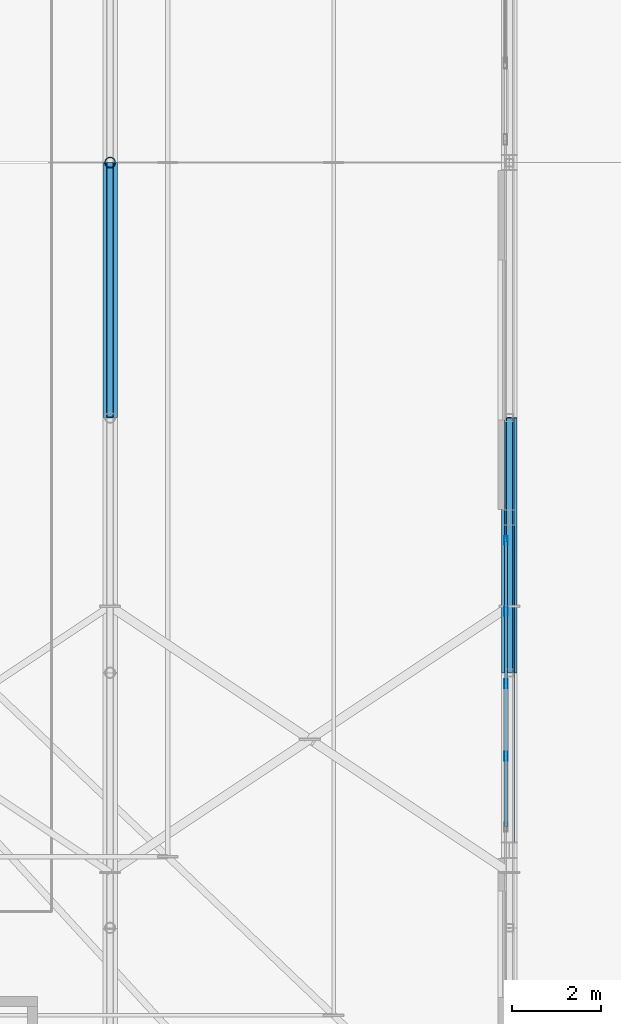
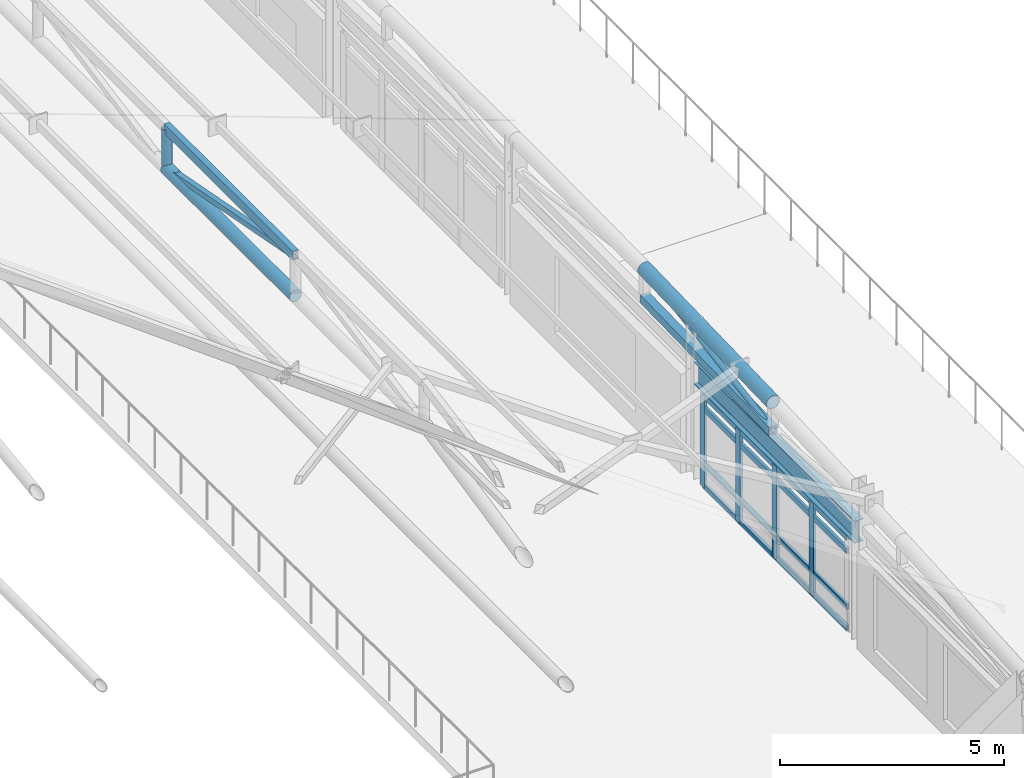
# One storey, part 47 of 168: 13 members, 3 beams, 1 element without a shape of its own.
"""IFC4 building model written with IfcOpenShell, lengths in metres."""

from ifc_helpers import new_model, si_unit, direction, frame, origin, origin_2d, place, context, subcontext, project, spatial, hollow_rectangle, hollow_circle, i_section, extrude, material, material_profile, profile_set, type_object, element, aggregate, save


model = new_model("IFC4")

# Units and contexts
model_context = context("Model", 3, precision=1e-05, world=origin(), true_north=direction((0.0, 1.0)))
body_context = subcontext(model_context, "Body", "Model", "MODEL_VIEW")
ifc_project = project(units=[si_unit("LENGTHUNIT", "METRE"), si_unit("AREAUNIT", "SQUARE_METRE"), si_unit("VOLUMEUNIT", "CUBIC_METRE"), si_unit("PLANEANGLEUNIT", "RADIAN"), si_unit("MASSUNIT", "GRAM", prefix="KILO"), si_unit("THERMODYNAMICTEMPERATUREUNIT", "KELVIN"), si_unit("POWERUNIT", "WATT")], contexts=[model_context])

# Site, building, storey
site_placement = place(None, origin())
site = spatial("IfcSite", under=ifc_project, at=site_placement, CompositionType="ELEMENT")
building_placement = place(site_placement, origin())
building = spatial("IfcBuilding", under=site, at=building_placement, Name="Tepalcoro Natatorium and Aquatics Centre", CompositionType="ELEMENT")
storey_placement = place(building_placement, frame((0.0, 0.0, 10.199951171875)))
storey = spatial("IfcBuildingStorey", under=building, at=storey_placement, Name="L02", CompositionType="ELEMENT", Elevation=10.199951171875)

# Beams
ifc_material_1 = material(Name="Terracotta Painted Hollow Steel ASTM A500 Grade C (Fy 345 MPa)", Category="masonry")
ifc_material_profile_1 = material_profile(ifc_material_1, hollow_circle(Radius=0.177978515625, WallThickness=0.01611328125, at=origin_2d()), Name="CHS356X16")
ifc_profile_set_1 = profile_set([ifc_material_profile_1], Name="Terracotta Painted Hollow Steel ASTM A500 Grade C (Fy 345 MPa)")
beam_type_1 = type_object("IfcBeamType", Name="AC_CHS356x16", PredefinedType="USERDEFINED", material=ifc_profile_set_1)
beam_1_placement = place(storey_placement, frame((125.0, 24.5, 4.087646484375), z_axis=(0.0, 0.999615859161, 0.027715232508), x_axis=(-1.0, 0.0, 0.0)))
element("IfcBeam", 1, at=beam_1_placement, inside=storey, type_object=beam_type_1, Name="V1 Gable Arched Truss Top Chord 9", ObjectType="ARCH CHORD", PredefinedType="USERDEFINED", context=body_context, shape_type="SweptSolid", body=[
    extrude(hollow_circle(Radius=0.177978515625, WallThickness=0.01611328125, at=origin_2d()), origin(), (0.0, 0.0, 1.0), 5.752197265625),
])
ifc_material_profile_2 = material_profile(ifc_material_1, hollow_rectangle(XDim=0.14990234375, YDim=0.25, WallThickness=0.011962890625, at=origin_2d()), Name="HSS250X150X12")
ifc_profile_set_2 = profile_set([ifc_material_profile_2], Name="Terracotta Painted Hollow Steel ASTM A500 Grade C (Fy 345 MPa)")
beam_type_2 = type_object("IfcBeamType", Name="AC_HSS250x150x12", PredefinedType="USERDEFINED", material=ifc_profile_set_2)
beam_2_placement = place(storey_placement, frame((116.0, 30.25, 7.755859375), z_axis=(0.0, 1.0, 0.0), x_axis=(-1.0, 0.0, 0.0)))
element("IfcBeam", 2, at=beam_2_placement, inside=storey, type_object=beam_type_2, Name="V1 Arched Truss Top Chord 8", ObjectType="ARCH CHORD", PredefinedType="USERDEFINED", context=body_context, shape_type="SweptSolid", body=[
    extrude(hollow_rectangle(XDim=0.14990234375, YDim=0.25, WallThickness=0.011962890625, at=origin_2d()), origin(), (0.0, 0.0, 1.0), 5.75),
])

# Curtain wall, members
ifc_material_2 = material(Name="Bronze-Anodised Extruded Aluminium Alloy EN AW-6063 T6", Category="aluminium")
curtain_wall_type = type_object("IfcCurtainWallType", Name="CW_LEAN_T2_NS", PredefinedType="USERDEFINED", material=ifc_material_2)
curtain_wall_placement = place(storey_placement, origin())
curtain_wall = element("IfcCurtainWall", 3, at=curtain_wall_placement, inside=storey, type_object=curtain_wall_type, Name="V1 L02 E Unitised Curtain Wall Bay 2", ObjectType="FACETED SOLAR GLAZING", PredefinedType="USERDEFINED")
ifc_material_profile_3 = material_profile(ifc_material_2, hollow_rectangle(XDim=0.070068359375, YDim=0.199951171875, WallThickness=0.0048828125, at=origin_2d()), Name="AL70X200X5")
ifc_profile_set_3 = profile_set([ifc_material_profile_3], Name="Bronze-Anodised Extruded Aluminium Alloy EN AW-6063 T6")
member_type_1 = type_object("IfcMemberType", Name="CW_MUL_70x200", PredefinedType="MULLION", material=ifc_profile_set_3)
member_1_placement = place(storey_placement, frame((124.923828125, 22.614990234375, 0.02001953125), z_axis=(0.0, 0.0, 1.0), x_axis=(1.0, 0.0, 0.0)))
member_1 = element("IfcMember", 4, at=member_1_placement, type_object=member_type_1, Name="CW_LEAN_T2_NS Curtain Wall Mullion", PredefinedType="MULLION", context=body_context, shape_type="SweptSolid", body=[
    extrude(hollow_rectangle(XDim=0.070068359375, YDim=0.199951171875, WallThickness=0.0048828125, at=origin_2d()), origin(), (0.0, 0.0, 1.0), 2.5380859375),
])
member_2_placement = place(storey_placement, frame((124.923828125, 24.25, 0.02001953125), z_axis=(0.0, 0.0, 1.0), x_axis=(1.0, 0.0, 0.0)))
member_2 = element("IfcMember", 5, at=member_2_placement, type_object=member_type_1, Name="CW_LEAN_T2_NS Curtain Wall Mullion", PredefinedType="MULLION", context=body_context, shape_type="SweptSolid", body=[
    extrude(hollow_rectangle(XDim=0.070068359375, YDim=0.199951171875, WallThickness=0.0048828125, at=origin_2d()), origin(), (0.0, 0.0, 1.0), 2.5380859375),
])
member_3_placement = place(storey_placement, frame((124.923828125, 25.885009765625, 0.02001953125), z_axis=(0.0, 0.0, 1.0), x_axis=(1.0, 0.0, 0.0)))
member_3 = element("IfcMember", 6, at=member_3_placement, type_object=member_type_1, Name="CW_LEAN_T2_NS Curtain Wall Mullion", PredefinedType="MULLION", context=body_context, shape_type="SweptSolid", body=[
    extrude(hollow_rectangle(XDim=0.070068359375, YDim=0.199951171875, WallThickness=0.0048828125, at=origin_2d()), origin(), (0.0, 0.0, 1.0), 2.5380859375),
])
member_4_placement = place(storey_placement, frame((124.923828125, 27.47998046875, 0.02001953125), z_axis=(0.0, 0.0, 1.0), x_axis=(1.0, 0.0, 0.0)))
member_4 = element("IfcMember", 7, at=member_4_placement, type_object=member_type_1, Name="CW_LEAN_T2_NS Curtain Wall Mullion", PredefinedType="MULLION", context=body_context, shape_type="SweptSolid", body=[
    extrude(hollow_rectangle(XDim=0.070068359375, YDim=0.199951171875, WallThickness=0.0048828125, at=origin_2d()), origin(), (0.0, 0.0, 1.0), 2.5380859375),
])
ifc_material_profile_4 = material_profile(ifc_material_2, hollow_rectangle(XDim=0.070068359375, YDim=0.14990234375, WallThickness=0.00390625, at=origin_2d()), Name="AL70X150X4")
ifc_profile_set_4 = profile_set([ifc_material_profile_4], Name="Bronze-Anodised Extruded Aluminium Alloy EN AW-6063 T6")
member_type_2 = type_object("IfcMemberType", Name="CW_TRN_70x150", PredefinedType="USERDEFINED", material=ifc_profile_set_4)
member_5_placement = place(storey_placement, frame((124.923828125, 21.030029296875, 0.050048828125), z_axis=(0.0, 1.0, 0.0), x_axis=(-1.0, 0.0, 0.0)))
member_5 = element("IfcMember", 8, at=member_5_placement, type_object=member_type_2, Name="CW_LEAN_T2_NS Curtain Wall Transom", ObjectType="TRANSOM", PredefinedType="USERDEFINED", context=body_context, shape_type="SweptSolid", body=[
    extrude(hollow_rectangle(XDim=0.070068359375, YDim=0.14990234375, WallThickness=0.00390625, at=origin_2d()), origin(), (0.0, 0.0, 1.0), 6.43994140625),
])
member_6_placement = place(storey_placement, frame((124.923828125, 21.030029296875, 0.64453125), z_axis=(0.0, 1.0, 0.0), x_axis=(-1.0, 0.0, 0.0)))
member_6 = element("IfcMember", 9, at=member_6_placement, type_object=member_type_2, Name="CW_LEAN_T2_NS Curtain Wall Transom", ObjectType="TRANSOM", PredefinedType="USERDEFINED", context=body_context, shape_type="SweptSolid", body=[
    extrude(hollow_rectangle(XDim=0.070068359375, YDim=0.14990234375, WallThickness=0.00390625, at=origin_2d()), origin(), (0.0, 0.0, 1.0), 6.43994140625),
])
member_7_placement = place(storey_placement, frame((124.923828125, 21.030029296875, 2.16552734375), z_axis=(0.0, 1.0, 0.0), x_axis=(-1.0, 0.0, 0.0)))
member_7 = element("IfcMember", 10, at=member_7_placement, type_object=member_type_2, Name="CW_LEAN_T2_NS Curtain Wall Transom", ObjectType="TRANSOM", PredefinedType="USERDEFINED", context=body_context, shape_type="SweptSolid", body=[
    extrude(hollow_rectangle(XDim=0.070068359375, YDim=0.14990234375, WallThickness=0.00390625, at=origin_2d()), origin(), (0.0, 0.0, 1.0), 6.43994140625),
])
member_8_placement = place(storey_placement, frame((124.923828125, 21.030029296875, 2.528076171875), z_axis=(0.0, 1.0, 0.0), x_axis=(-1.0, 0.0, 0.0)))
member_8 = element("IfcMember", 11, at=member_8_placement, type_object=member_type_2, Name="CW_LEAN_T2_NS Curtain Wall Transom", ObjectType="TRANSOM", PredefinedType="USERDEFINED", context=body_context, shape_type="SweptSolid", body=[
    extrude(hollow_rectangle(XDim=0.070068359375, YDim=0.14990234375, WallThickness=0.00390625, at=origin_2d()), origin(), (0.0, 0.0, 1.0), 6.43994140625),
])
aggregate(curtain_wall, [member_1, member_2, member_3, member_4, member_5, member_6, member_7, member_8])

# Members
ifc_material_profile_5 = material_profile(ifc_material_1, hollow_circle(Radius=0.162109375, WallThickness=0.013916015625, at=origin_2d()), Name="CHS324X14")
ifc_profile_set_5 = profile_set([ifc_material_profile_5], Name="Terracotta Painted Hollow Steel ASTM A500 Grade C (Fy 345 MPa)")
member_type_3 = type_object("IfcMemberType", Name="MB_CH_CHS324x14", PredefinedType="CHORD", material=ifc_profile_set_5)
member_9_placement = place(storey_placement, frame((116.0, 30.25, 6.656005859375), z_axis=(0.0, 1.0, 0.0), x_axis=(-1.0, 0.0, 0.0)))
element("IfcMember", 12, at=member_9_placement, inside=storey, type_object=member_type_3, Name="V1 Arched Truss Bottom Chord 8", PredefinedType="CHORD", context=body_context, shape_type="SweptSolid", body=[
    extrude(hollow_circle(Radius=0.162109375, WallThickness=0.013916015625, at=origin_2d()), origin(), (0.0, 0.0, 1.0), 5.75),
])
ifc_material_profile_6 = material_profile(ifc_material_1, hollow_rectangle(XDim=0.219970703125, YDim=0.219970703125, WallThickness=0.011962890625, at=origin_2d()), Name="HSS220X220X12")
ifc_profile_set_6 = profile_set([ifc_material_profile_6], Name="Terracotta Painted Hollow Steel ASTM A500 Grade C (Fy 345 MPa)")
member_type_4 = type_object("IfcMemberType", Name="MB_CH_HSS220x220x12", PredefinedType="CHORD", material=ifc_profile_set_6)
member_10_placement = place(storey_placement, frame((125.0, 24.5, 3.324951171875), z_axis=(0.0, 0.999739199123, 0.022837113159), x_axis=(-1.0, 0.0, 0.0)))
element("IfcMember", 13, at=member_10_placement, inside=storey, type_object=member_type_4, Name="V1 Gable Arched Truss Bottom Chord 9", PredefinedType="CHORD", context=body_context, shape_type="SweptSolid", body=[
    extrude(hollow_rectangle(XDim=0.219970703125, YDim=0.219970703125, WallThickness=0.011962890625, at=origin_2d()), origin(), (0.0, 0.0, 1.0), 5.75146484375),
])
ifc_material_profile_7 = material_profile(ifc_material_1, hollow_circle(Radius=0.1220703125, WallThickness=0.011962890625, at=origin_2d()), Name="CHS244X12")
ifc_profile_set_7 = profile_set([ifc_material_profile_7], Name="Terracotta Painted Hollow Steel ASTM A500 Grade C (Fy 345 MPa)")
member_type_5 = type_object("IfcMemberType", Name="MB_PS_CHS244x12", PredefinedType="POST", material=ifc_profile_set_7)
member_11_placement = place(storey_placement, frame((116.0, 36.0, 6.656005859375), z_axis=(0.0, 0.0, 1.0), x_axis=(1.0, 0.0, 0.0)))
element("IfcMember", 14, at=member_11_placement, inside=storey, type_object=member_type_5, Name="V1 Arched Truss Vertical Post 8", PredefinedType="POST", context=body_context, shape_type="SweptSolid", body=[
    extrude(hollow_circle(Radius=0.1220703125, WallThickness=0.011962890625, at=origin_2d()), origin(), (0.0, 0.0, 1.0), 1.099853515625),
])
ifc_material_profile_8 = material_profile(ifc_material_1, hollow_circle(Radius=0.070068359375, WallThickness=0.008056640625, at=origin_2d()), Name="CHS140X8")
ifc_profile_set_8 = profile_set([ifc_material_profile_8], Name="Terracotta Painted Hollow Steel ASTM A500 Grade C (Fy 345 MPa)")
member_type_6 = type_object("IfcMemberType", Name="MB_ST_CHS140x8", PredefinedType="STRUT", material=ifc_profile_set_8)
member_12_placement = place(storey_placement, frame((125.0, 24.5, 3.324951171875), z_axis=(0.0, 0.987383798038, 0.158345304229), x_axis=(-1.0, 0.0, 0.0)))
element("IfcMember", 15, at=member_12_placement, inside=storey, type_object=member_type_6, Name="V1 Arched Truss Web Diagonal 9", PredefinedType="STRUT", context=body_context, shape_type="SweptSolid", body=[
    extrude(hollow_circle(Radius=0.070068359375, WallThickness=0.008056640625, at=origin_2d()), origin(), (0.0, 0.0, 1.0), 5.823486328125),
])
ifc_material_3 = material(Name="Hollow Steel ASTM A500 Grade C (Fy 345 MPa)", Category="steel")
ifc_material_profile_9 = material_profile(ifc_material_3, hollow_rectangle(XDim=0.139892578125, YDim=0.139892578125, WallThickness=0.008056640625, at=origin_2d()), Name="HSS140X140X8")
ifc_profile_set_9 = profile_set([ifc_material_profile_9], Name="Hollow Steel ASTM A500 Grade C (Fy 345 MPa)")
member_type_7 = type_object("IfcMemberType", Name="MB_ST_HSS140x140x8", PredefinedType="STRUT", material=ifc_profile_set_9)
member_13_placement = place(storey_placement, frame((116.0, 30.25, 7.755859375), z_axis=(0.0, 0.982193360105, -0.187872838284), x_axis=(-1.0, 0.0, 0.0)))
element("IfcMember", 16, at=member_13_placement, inside=storey, type_object=member_type_7, Name="V1 Arched Truss Web Diagonal 8", PredefinedType="STRUT", context=body_context, shape_type="SweptSolid", body=[
    extrude(hollow_rectangle(XDim=0.139892578125, YDim=0.139892578125, WallThickness=0.008056640625, at=origin_2d()), origin(), (0.0, 0.0, 1.0), 5.854248046875),
])

# Beam
ifc_material_4 = material(Name="Steel ASTM A992 Grade 50 (Fy 345 MPa)", Category="steel")
ifc_material_profile_10 = material_profile(ifc_material_4, i_section(OverallWidth=0.22900390625, OverallDepth=0.612060546875, WebThickness=0.011962890625, FlangeThickness=0.02001953125, FilletRadius=0.013916015625, at=origin_2d()), Name="W24X84")
ifc_profile_set_10 = profile_set([ifc_material_profile_10], Name="Steel ASTM A992 Grade 50 (Fy 345 MPa)")
beam_type_3 = type_object("IfcBeamType", Name="SP_W24x84", PredefinedType="SPANDREL", material=ifc_profile_set_10)
beam_3_placement = place(storey_placement, frame((125.0, 20.66552734375, 2.899169921875), z_axis=(0.0, 1.0, 0.0), x_axis=(-1.0, 0.0, 0.0)))
element("IfcBeam", 17, at=beam_3_placement, inside=storey, type_object=beam_type_3, Name="V1 L02 Grid Girder Y", PredefinedType="SPANDREL", context=body_context, shape_type="SweptSolid", body=[
    extrude(i_section(OverallWidth=0.22900390625, OverallDepth=0.612060546875, WebThickness=0.011962890625, FlangeThickness=0.02001953125, FilletRadius=0.013916015625, at=origin_2d()), origin(), (0.0, 0.0, 1.0), 7.177490234375),
])

save(model, "model.ifc")
